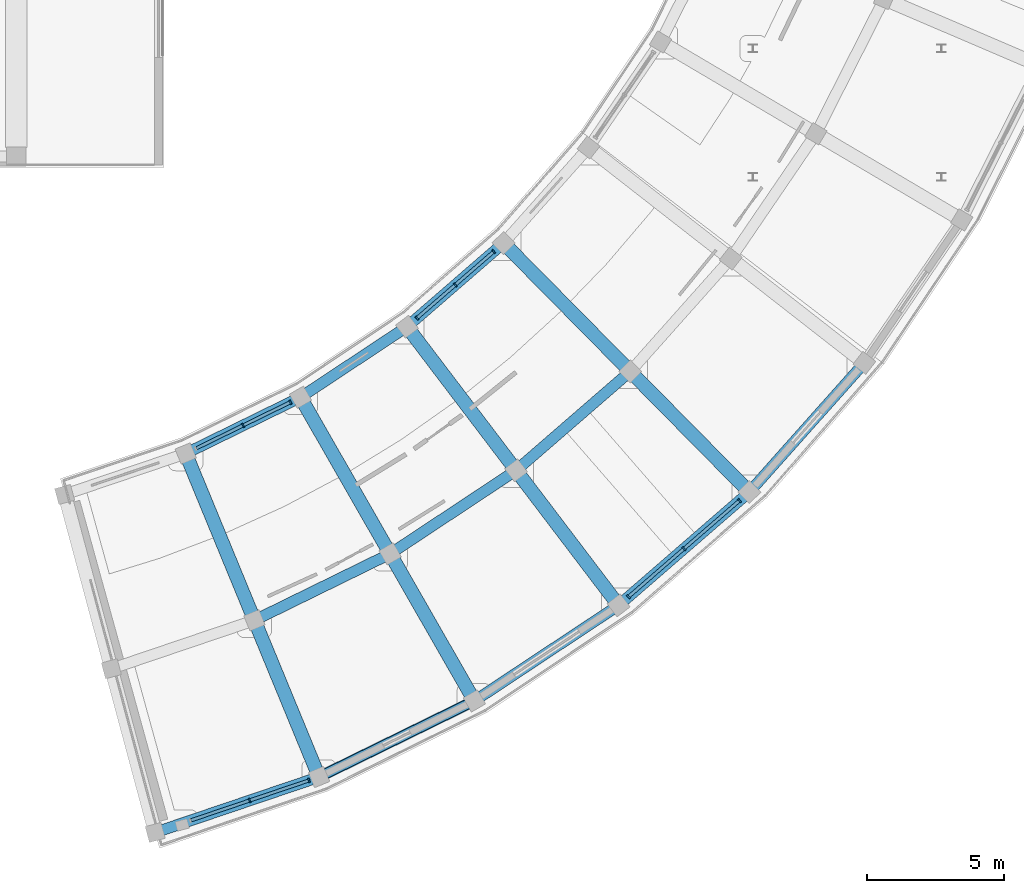
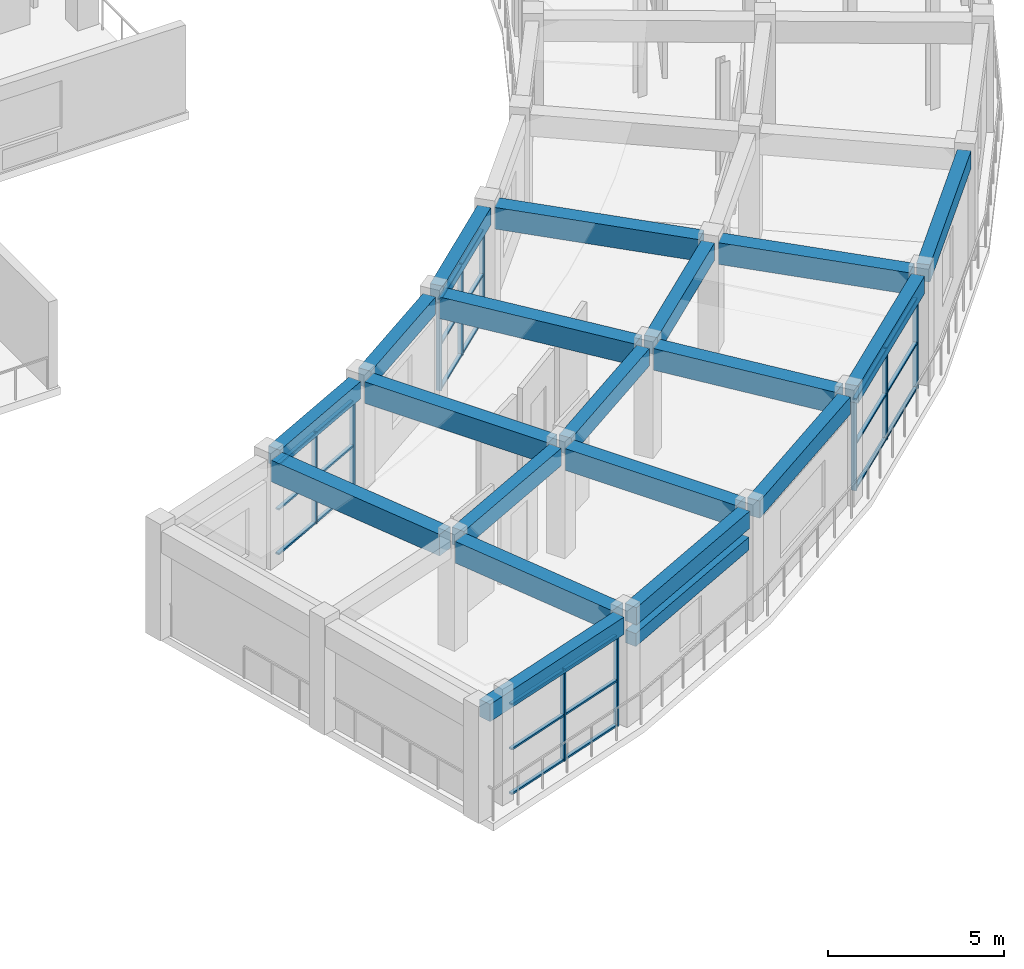
# One storey, part 23 of 70: 34 members, 20 beams, 4 elements without a shape of their own.
"""IFC4 building model written with IfcOpenShell, lengths in metres."""

from ifc_helpers import new_model, si_unit, direction, frame, origin, origin_2d, place, context, subcontext, project, spatial, rectangle, extrude, material, material_profile, profile_set, type_object, element, aggregate, save


model = new_model("IFC4")

# Units and contexts
model_context = context("Model", 3, precision=1e-05, world=origin(), true_north=direction((0.0, 1.0)))
body_context = subcontext(model_context, "Body", "Model", "MODEL_VIEW")
ifc_project = project(units=[si_unit("LENGTHUNIT", "METRE"), si_unit("AREAUNIT", "SQUARE_METRE"), si_unit("VOLUMEUNIT", "CUBIC_METRE"), si_unit("PLANEANGLEUNIT", "RADIAN"), si_unit("MASSUNIT", "GRAM", prefix="KILO")], contexts=[model_context])

# Site, building, storey
site_placement = place(None, origin())
site = spatial("IfcSite", under=ifc_project, at=site_placement, CompositionType="ELEMENT")
building_placement = place(site_placement, origin())
building = spatial("IfcBuilding", under=site, at=building_placement, Name="Saryqyr Civic Hall", CompositionType="ELEMENT")
storey_placement = place(building_placement, frame((0.0, 0.0, 13.199951171875)))
storey = spatial("IfcBuildingStorey", under=building, at=storey_placement, Name="L03", CompositionType="ELEMENT", Elevation=13.199951171875)

# Curtain wall, members
ifc_material_1 = material(Name="Anodised aluminium and triple low-E glass", Category="aluminium")
curtain_wall_type_1 = type_object("IfcCurtainWallType", Name="ENV-CW-STD-30", PredefinedType="NOTDEFINED", material=ifc_material_1)
curtain_wall_1_placement = place(storey_placement, origin())
curtain_wall_1 = element("IfcCurtainWall", 1, at=curtain_wall_1_placement, inside=storey, type_object=curtain_wall_type_1, Name="Curtain wall V5-CWO-L03-00", PredefinedType="NOTDEFINED")
ifc_material_2 = material(Name="Anodised aluminium", Category="aluminium")
ifc_material_profile_1 = material_profile(ifc_material_2, rectangle(XDim=0.06005859375, YDim=0.159912109375, at=origin_2d()), Name="ALU MULLION 60x160")
ifc_profile_set_1 = profile_set([ifc_material_profile_1], Name="Anodised aluminium")
member_type_1 = type_object("IfcMemberType", Name="ENV-CW-MUL-180", PredefinedType="MULLION", material=ifc_profile_set_1)
member_1_placement = place(storey_placement, frame((75.30810546875, 38.57421875, 0.0), z_axis=(0.0, 0.0, 1.0), x_axis=(-0.947196460204, -0.320653809858, 0.0)))
member_1 = element("IfcMember", 2, at=member_1_placement, type_object=member_type_1, Name="CW-30 mullion 1", PredefinedType="MULLION", context=body_context, shape_type="SweptSolid", body=[
    extrude(rectangle(XDim=0.06005859375, YDim=0.159912109375, at=origin_2d()), origin(), (0.0, 0.0, 1.0), 3.1650390625),
])
member_2_placement = place(storey_placement, frame((73.135986328125, 37.8388671875, 0.0), z_axis=(0.0, 0.0, 1.0), x_axis=(-0.947196460204, -0.320653809858, 0.0)))
member_2 = element("IfcMember", 3, at=member_2_placement, type_object=member_type_1, Name="CW-30 mullion 2", PredefinedType="MULLION", context=body_context, shape_type="SweptSolid", body=[
    extrude(rectangle(XDim=0.06005859375, YDim=0.159912109375, at=origin_2d()), origin(), (0.0, 0.0, 1.0), 3.1650390625),
])

curtain_wall_type_2 = type_object("IfcCurtainWallType", Name="ENV-CW-STD-25", PredefinedType="NOTDEFINED", material=ifc_material_1)
curtain_wall_2_placement = place(storey_placement, origin())
curtain_wall_2 = element("IfcCurtainWall", 4, at=curtain_wall_2_placement, inside=storey, type_object=curtain_wall_type_2, Name="Curtain wall V5-CWI-L03-01", PredefinedType="NOTDEFINED")
member_3_placement = place(storey_placement, frame((72.896728515625, 51.561279296875, 0.0), z_axis=(0.0, 0.0, 1.0), x_axis=(0.897961859945, 0.440073287175, 0.0)))
member_3 = element("IfcMember", 5, at=member_3_placement, type_object=member_type_1, Name="CW-25 mullion 2", PredefinedType="MULLION", context=body_context, shape_type="SweptSolid", body=[
    extrude(rectangle(XDim=0.06005859375, YDim=0.159912109375, at=origin_2d()), origin(), (0.0, 0.0, 1.0), 3.1650390625),
])
member_4_placement = place(storey_placement, frame((74.62890625, 52.41015625, 0.0), z_axis=(0.0, 0.0, 1.0), x_axis=(0.897961859945, 0.440073287175, 0.0)))
member_4 = element("IfcMember", 6, at=member_4_placement, type_object=member_type_1, Name="CW-25 mullion 3", PredefinedType="MULLION", context=body_context, shape_type="SweptSolid", body=[
    extrude(rectangle(XDim=0.06005859375, YDim=0.159912109375, at=origin_2d()), origin(), (0.0, 0.0, 1.0), 3.1650390625),
])

curtain_wall_type_3 = type_object("IfcCurtainWallType", Name="ENV-CW-STD-39", PredefinedType="NOTDEFINED", material=ifc_material_1)
curtain_wall_3_placement = place(storey_placement, origin())
curtain_wall_3 = element("IfcCurtainWall", 7, at=curtain_wall_3_placement, inside=storey, type_object=curtain_wall_type_3, Name="Curtain wall V5-CWO-L03-03", PredefinedType="NOTDEFINED")
member_5_placement = place(storey_placement, frame((91.054931640625, 48.808349609375, 0.0), z_axis=(0.0, 0.0, 1.0), x_axis=(-0.755657475938, -0.654967006085, 0.0)))
member_5 = element("IfcMember", 8, at=member_5_placement, type_object=member_type_1, Name="CW-39 mullion 1", PredefinedType="MULLION", context=body_context, shape_type="SweptSolid", body=[
    extrude(rectangle(XDim=0.06005859375, YDim=0.159912109375, at=origin_2d()), origin(), (0.0, 0.0, 1.0), 3.1650390625),
])
member_6_placement = place(storey_placement, frame((89.026611328125, 47.05029296875, 0.0), z_axis=(0.0, 0.0, 1.0), x_axis=(-0.755657475938, -0.654967006085, 0.0)))
member_6 = element("IfcMember", 9, at=member_6_placement, type_object=member_type_1, Name="CW-39 mullion 2", PredefinedType="MULLION", context=body_context, shape_type="SweptSolid", body=[
    extrude(rectangle(XDim=0.06005859375, YDim=0.159912109375, at=origin_2d()), origin(), (0.0, 0.0, 1.0), 3.1650390625),
])
member_7_placement = place(storey_placement, frame((86.998291015625, 45.292236328125, 0.0), z_axis=(0.0, 0.0, 1.0), x_axis=(-0.755657475938, -0.654967006085, 0.0)))
member_7 = element("IfcMember", 10, at=member_7_placement, type_object=member_type_1, Name="CW-39 mullion 3", PredefinedType="MULLION", context=body_context, shape_type="SweptSolid", body=[
    extrude(rectangle(XDim=0.06005859375, YDim=0.159912109375, at=origin_2d()), origin(), (0.0, 0.0, 1.0), 3.1650390625),
])

curtain_wall_type_4 = type_object("IfcCurtainWallType", Name="ENV-CW-STD-27", PredefinedType="NOTDEFINED", material=ifc_material_1)
curtain_wall_4_placement = place(storey_placement, origin())
curtain_wall_4 = element("IfcCurtainWall", 11, at=curtain_wall_4_placement, inside=storey, type_object=curtain_wall_type_4, Name="Curtain wall V5-CWI-L03-03", PredefinedType="NOTDEFINED")
member_8_placement = place(storey_placement, frame((79.256591796875, 55.485595703125, 0.0), z_axis=(0.0, 0.0, 1.0), x_axis=(0.755651502076, 0.654973898267, 0.0)))
member_8 = element("IfcMember", 12, at=member_8_placement, type_object=member_type_1, Name="CW-27 mullion 1", PredefinedType="MULLION", context=body_context, shape_type="SweptSolid", body=[
    extrude(rectangle(XDim=0.06005859375, YDim=0.159912109375, at=origin_2d()), origin(), (0.0, 0.0, 1.0), 3.1650390625),
])
member_9_placement = place(storey_placement, frame((80.660400390625, 56.702392578125, 0.0), z_axis=(0.0, 0.0, 1.0), x_axis=(0.755651502076, 0.654973898267, 0.0)))
member_9 = element("IfcMember", 13, at=member_9_placement, type_object=member_type_1, Name="CW-27 mullion 2", PredefinedType="MULLION", context=body_context, shape_type="SweptSolid", body=[
    extrude(rectangle(XDim=0.06005859375, YDim=0.159912109375, at=origin_2d()), origin(), (0.0, 0.0, 1.0), 3.1650390625),
])
member_10_placement = place(storey_placement, frame((82.064208984375, 57.919189453125, 0.0), z_axis=(0.0, 0.0, 1.0), x_axis=(0.755651502076, 0.654973898267, 0.0)))
member_10 = element("IfcMember", 14, at=member_10_placement, type_object=member_type_1, Name="CW-27 mullion 3", PredefinedType="MULLION", context=body_context, shape_type="SweptSolid", body=[
    extrude(rectangle(XDim=0.06005859375, YDim=0.159912109375, at=origin_2d()), origin(), (0.0, 0.0, 1.0), 3.1650390625),
])

# Member
ifc_material_profile_2 = material_profile(ifc_material_2, rectangle(XDim=0.1201171875, YDim=0.06005859375, at=origin_2d()), Name="ALU TRANSOM 120x60")
ifc_profile_set_2 = profile_set([ifc_material_profile_2], Name="Anodised aluminium")
member_type_2 = type_object("IfcMemberType", Name="ENV-CW-TRN-150", PredefinedType="USERDEFINED", material=ifc_profile_set_2)
member_11_placement = place(storey_placement, frame((75.279541015625, 38.564453125, 0.030029296875), z_axis=(-0.947230270379, -0.320553918831, 0.0), x_axis=(0.320553918831, -0.947230270379, 0.0)))
member_11 = element("IfcMember", 15, at=member_11_placement, type_object=member_type_2, Name="CW-30 transom 1.1", ObjectType="TRANSOM", PredefinedType="USERDEFINED", context=body_context, shape_type="SweptSolid", body=[
    extrude(rectangle(XDim=0.1201171875, YDim=0.06005859375, at=origin_2d()), origin(), (0.0, 0.0, 1.0), 2.233154296875),
])

member_12_placement = place(storey_placement, frame((75.279541015625, 38.564453125, 1.58203125), z_axis=(-0.947230270379, -0.320553918831, 0.0), x_axis=(0.320553918831, -0.947230270379, 0.0)))
member_12 = element("IfcMember", 16, at=member_12_placement, type_object=member_type_2, Name="CW-30 transom 1.2", ObjectType="TRANSOM", PredefinedType="USERDEFINED", context=body_context, shape_type="SweptSolid", body=[
    extrude(rectangle(XDim=0.1201171875, YDim=0.06005859375, at=origin_2d()), origin(), (0.0, 0.0, 1.0), 2.233154296875),
])

member_13_placement = place(storey_placement, frame((75.279541015625, 38.564453125, 3.135009765625), z_axis=(-0.947230270379, -0.320553918831, 0.0), x_axis=(0.320553918831, -0.947230270379, 0.0)))
member_13 = element("IfcMember", 17, at=member_13_placement, type_object=member_type_2, Name="CW-30 transom 1.3", ObjectType="TRANSOM", PredefinedType="USERDEFINED", context=body_context, shape_type="SweptSolid", body=[
    extrude(rectangle(XDim=0.1201171875, YDim=0.06005859375, at=origin_2d()), origin(), (0.0, 0.0, 1.0), 2.233154296875),
])

member_14_placement = place(storey_placement, frame((73.107666015625, 37.829345703125, 0.030029296875), z_axis=(-0.94719706985, -0.320652008988, 0.0), x_axis=(0.320652008988, -0.94719706985, 0.0)))
member_14 = element("IfcMember", 18, at=member_14_placement, type_object=member_type_2, Name="CW-30 transom 2.1", ObjectType="TRANSOM", PredefinedType="USERDEFINED", context=body_context, shape_type="SweptSolid", body=[
    extrude(rectangle(XDim=0.1201171875, YDim=0.06005859375, at=origin_2d()), origin(), (0.0, 0.0, 1.0), 2.233154296875),
])

member_15_placement = place(storey_placement, frame((73.107666015625, 37.829345703125, 1.58203125), z_axis=(-0.94719706985, -0.320652008988, 0.0), x_axis=(0.320652008988, -0.94719706985, 0.0)))
member_15 = element("IfcMember", 19, at=member_15_placement, type_object=member_type_2, Name="CW-30 transom 2.2", ObjectType="TRANSOM", PredefinedType="USERDEFINED", context=body_context, shape_type="SweptSolid", body=[
    extrude(rectangle(XDim=0.1201171875, YDim=0.06005859375, at=origin_2d()), origin(), (0.0, 0.0, 1.0), 2.233154296875),
])

member_16_placement = place(storey_placement, frame((73.107666015625, 37.829345703125, 3.135009765625), z_axis=(-0.94719706985, -0.320652008988, 0.0), x_axis=(0.320652008988, -0.94719706985, 0.0)))
member_16 = element("IfcMember", 20, at=member_16_placement, type_object=member_type_2, Name="CW-30 transom 2.3", ObjectType="TRANSOM", PredefinedType="USERDEFINED", context=body_context, shape_type="SweptSolid", body=[
    extrude(rectangle(XDim=0.1201171875, YDim=0.06005859375, at=origin_2d()), origin(), (0.0, 0.0, 1.0), 2.233154296875),
])

aggregate(curtain_wall_1, [member_1, member_2, member_11, member_12, member_13, member_14, member_15, member_16])

member_17_placement = place(storey_placement, frame((71.191650390625, 50.7255859375, 0.030029296875), z_axis=(0.897952102471, 0.44009319657, 0.0), x_axis=(-0.44009319657, 0.897952102471, 0.0)))
member_17 = element("IfcMember", 21, at=member_17_placement, type_object=member_type_2, Name="CW-25 transom 1.1", ObjectType="TRANSOM", PredefinedType="USERDEFINED", context=body_context, shape_type="SweptSolid", body=[
    extrude(rectangle(XDim=0.1201171875, YDim=0.06005859375, at=origin_2d()), origin(), (0.0, 0.0, 1.0), 1.868896484375),
])

member_18_placement = place(storey_placement, frame((71.191650390625, 50.7255859375, 1.58203125), z_axis=(0.897952102471, 0.44009319657, 0.0), x_axis=(-0.44009319657, 0.897952102471, 0.0)))
member_18 = element("IfcMember", 22, at=member_18_placement, type_object=member_type_2, Name="CW-25 transom 1.2", ObjectType="TRANSOM", PredefinedType="USERDEFINED", context=body_context, shape_type="SweptSolid", body=[
    extrude(rectangle(XDim=0.1201171875, YDim=0.06005859375, at=origin_2d()), origin(), (0.0, 0.0, 1.0), 1.868896484375),
])

member_19_placement = place(storey_placement, frame((71.191650390625, 50.7255859375, 3.135009765625), z_axis=(0.897952102471, 0.44009319657, 0.0), x_axis=(-0.44009319657, 0.897952102471, 0.0)))
member_19 = element("IfcMember", 23, at=member_19_placement, type_object=member_type_2, Name="CW-25 transom 1.3", ObjectType="TRANSOM", PredefinedType="USERDEFINED", context=body_context, shape_type="SweptSolid", body=[
    extrude(rectangle(XDim=0.1201171875, YDim=0.06005859375, at=origin_2d()), origin(), (0.0, 0.0, 1.0), 1.868896484375),
])

member_20_placement = place(storey_placement, frame((72.923828125, 51.574462890625, 0.030029296875), z_axis=(0.897952102471, 0.44009319657, 0.0), x_axis=(-0.44009319657, 0.897952102471, 0.0)))
member_20 = element("IfcMember", 24, at=member_20_placement, type_object=member_type_2, Name="CW-25 transom 2.1", ObjectType="TRANSOM", PredefinedType="USERDEFINED", context=body_context, shape_type="SweptSolid", body=[
    extrude(rectangle(XDim=0.1201171875, YDim=0.06005859375, at=origin_2d()), origin(), (0.0, 0.0, 1.0), 1.868896484375),
])

member_21_placement = place(storey_placement, frame((72.923828125, 51.574462890625, 1.58203125), z_axis=(0.897952102471, 0.44009319657, 0.0), x_axis=(-0.44009319657, 0.897952102471, 0.0)))
member_21 = element("IfcMember", 25, at=member_21_placement, type_object=member_type_2, Name="CW-25 transom 2.2", ObjectType="TRANSOM", PredefinedType="USERDEFINED", context=body_context, shape_type="SweptSolid", body=[
    extrude(rectangle(XDim=0.1201171875, YDim=0.06005859375, at=origin_2d()), origin(), (0.0, 0.0, 1.0), 1.868896484375),
])

member_22_placement = place(storey_placement, frame((72.923828125, 51.574462890625, 3.135009765625), z_axis=(0.897952102471, 0.44009319657, 0.0), x_axis=(-0.44009319657, 0.897952102471, 0.0)))
member_22 = element("IfcMember", 26, at=member_22_placement, type_object=member_type_2, Name="CW-25 transom 2.3", ObjectType="TRANSOM", PredefinedType="USERDEFINED", context=body_context, shape_type="SweptSolid", body=[
    extrude(rectangle(XDim=0.1201171875, YDim=0.06005859375, at=origin_2d()), origin(), (0.0, 0.0, 1.0), 1.868896484375),
])

aggregate(curtain_wall_2, [member_3, member_4, member_17, member_18, member_19, member_20, member_21, member_22])

member_23_placement = place(storey_placement, frame((91.032470703125, 48.788818359375, 0.030029296875), z_axis=(-0.755639971157, -0.654987201393, 0.0), x_axis=(0.654987201393, -0.755639971157, 0.0)))
member_23 = element("IfcMember", 27, at=member_23_placement, type_object=member_type_2, Name="CW-39 transom 1.1", ObjectType="TRANSOM", PredefinedType="USERDEFINED", context=body_context, shape_type="SweptSolid", body=[
    extrude(rectangle(XDim=0.1201171875, YDim=0.06005859375, at=origin_2d()), origin(), (0.0, 0.0, 1.0), 2.62451171875),
])

member_24_placement = place(storey_placement, frame((91.032470703125, 48.788818359375, 1.58203125), z_axis=(-0.755639971157, -0.654987201393, 0.0), x_axis=(0.654987201393, -0.755639971157, 0.0)))
member_24 = element("IfcMember", 28, at=member_24_placement, type_object=member_type_2, Name="CW-39 transom 1.2", ObjectType="TRANSOM", PredefinedType="USERDEFINED", context=body_context, shape_type="SweptSolid", body=[
    extrude(rectangle(XDim=0.1201171875, YDim=0.06005859375, at=origin_2d()), origin(), (0.0, 0.0, 1.0), 2.62451171875),
])

member_25_placement = place(storey_placement, frame((91.032470703125, 48.788818359375, 3.135009765625), z_axis=(-0.755639971157, -0.654987201393, 0.0), x_axis=(0.654987201393, -0.755639971157, 0.0)))
member_25 = element("IfcMember", 29, at=member_25_placement, type_object=member_type_2, Name="CW-39 transom 1.3", ObjectType="TRANSOM", PredefinedType="USERDEFINED", context=body_context, shape_type="SweptSolid", body=[
    extrude(rectangle(XDim=0.1201171875, YDim=0.06005859375, at=origin_2d()), origin(), (0.0, 0.0, 1.0), 2.62451171875),
])

member_26_placement = place(storey_placement, frame((89.00390625, 47.030517578125, 0.030029296875), z_axis=(-0.755646104704, -0.65498012523, 0.0), x_axis=(0.65498012523, -0.755646104704, 0.0)))
member_26 = element("IfcMember", 30, at=member_26_placement, type_object=member_type_2, Name="CW-39 transom 2.1", ObjectType="TRANSOM", PredefinedType="USERDEFINED", context=body_context, shape_type="SweptSolid", body=[
    extrude(rectangle(XDim=0.1201171875, YDim=0.06005859375, at=origin_2d()), origin(), (0.0, 0.0, 1.0), 2.6240234375),
])

member_27_placement = place(storey_placement, frame((89.00390625, 47.030517578125, 1.58203125), z_axis=(-0.755646104704, -0.65498012523, 0.0), x_axis=(0.65498012523, -0.755646104704, 0.0)))
member_27 = element("IfcMember", 31, at=member_27_placement, type_object=member_type_2, Name="CW-39 transom 2.2", ObjectType="TRANSOM", PredefinedType="USERDEFINED", context=body_context, shape_type="SweptSolid", body=[
    extrude(rectangle(XDim=0.1201171875, YDim=0.06005859375, at=origin_2d()), origin(), (0.0, 0.0, 1.0), 2.6240234375),
])

member_28_placement = place(storey_placement, frame((89.00390625, 47.030517578125, 3.135009765625), z_axis=(-0.755646104704, -0.65498012523, 0.0), x_axis=(0.65498012523, -0.755646104704, 0.0)))
member_28 = element("IfcMember", 32, at=member_28_placement, type_object=member_type_2, Name="CW-39 transom 2.3", ObjectType="TRANSOM", PredefinedType="USERDEFINED", context=body_context, shape_type="SweptSolid", body=[
    extrude(rectangle(XDim=0.1201171875, YDim=0.06005859375, at=origin_2d()), origin(), (0.0, 0.0, 1.0), 2.6240234375),
])

aggregate(curtain_wall_3, [member_5, member_6, member_7, member_23, member_24, member_25, member_26, member_27, member_28])

member_29_placement = place(storey_placement, frame((79.279296875, 55.50537109375, 0.030029296875), z_axis=(0.755630827507, 0.654997750012, 0.0), x_axis=(-0.654997750012, 0.755630827507, 0.0)))
member_29 = element("IfcMember", 33, at=member_29_placement, type_object=member_type_2, Name="CW-27 transom 1.1", ObjectType="TRANSOM", PredefinedType="USERDEFINED", context=body_context, shape_type="SweptSolid", body=[
    extrude(rectangle(XDim=0.1201171875, YDim=0.06005859375, at=origin_2d()), origin(), (0.0, 0.0, 1.0), 1.797607421875),
])

member_30_placement = place(storey_placement, frame((79.279296875, 55.50537109375, 1.58203125), z_axis=(0.755630827507, 0.654997750012, 0.0), x_axis=(-0.654997750012, 0.755630827507, 0.0)))
member_30 = element("IfcMember", 34, at=member_30_placement, type_object=member_type_2, Name="CW-27 transom 1.2", ObjectType="TRANSOM", PredefinedType="USERDEFINED", context=body_context, shape_type="SweptSolid", body=[
    extrude(rectangle(XDim=0.1201171875, YDim=0.06005859375, at=origin_2d()), origin(), (0.0, 0.0, 1.0), 1.797607421875),
])

member_31_placement = place(storey_placement, frame((79.279296875, 55.50537109375, 3.135009765625), z_axis=(0.755630827507, 0.654997750012, 0.0), x_axis=(-0.654997750012, 0.755630827507, 0.0)))
member_31 = element("IfcMember", 35, at=member_31_placement, type_object=member_type_2, Name="CW-27 transom 1.3", ObjectType="TRANSOM", PredefinedType="USERDEFINED", context=body_context, shape_type="SweptSolid", body=[
    extrude(rectangle(XDim=0.1201171875, YDim=0.06005859375, at=origin_2d()), origin(), (0.0, 0.0, 1.0), 1.797607421875),
])

member_32_placement = place(storey_placement, frame((80.68310546875, 56.72216796875, 0.030029296875), z_axis=(0.755698045408, 0.654920196793, 0.0), x_axis=(-0.654920196793, 0.755698045408, 0.0)))
member_32 = element("IfcMember", 36, at=member_32_placement, type_object=member_type_2, Name="CW-27 transom 2.1", ObjectType="TRANSOM", PredefinedType="USERDEFINED", context=body_context, shape_type="SweptSolid", body=[
    extrude(rectangle(XDim=0.1201171875, YDim=0.06005859375, at=origin_2d()), origin(), (0.0, 0.0, 1.0), 1.797607421875),
])

member_33_placement = place(storey_placement, frame((80.68310546875, 56.72216796875, 1.58203125), z_axis=(0.755698045408, 0.654920196793, 0.0), x_axis=(-0.654920196793, 0.755698045408, 0.0)))
member_33 = element("IfcMember", 37, at=member_33_placement, type_object=member_type_2, Name="CW-27 transom 2.2", ObjectType="TRANSOM", PredefinedType="USERDEFINED", context=body_context, shape_type="SweptSolid", body=[
    extrude(rectangle(XDim=0.1201171875, YDim=0.06005859375, at=origin_2d()), origin(), (0.0, 0.0, 1.0), 1.797607421875),
])

member_34_placement = place(storey_placement, frame((80.68310546875, 56.72216796875, 3.135009765625), z_axis=(0.755698045408, 0.654920196793, 0.0), x_axis=(-0.654920196793, 0.755698045408, 0.0)))
member_34 = element("IfcMember", 38, at=member_34_placement, type_object=member_type_2, Name="CW-27 transom 2.3", ObjectType="TRANSOM", PredefinedType="USERDEFINED", context=body_context, shape_type="SweptSolid", body=[
    extrude(rectangle(XDim=0.1201171875, YDim=0.06005859375, at=origin_2d()), origin(), (0.0, 0.0, 1.0), 1.797607421875),
])

aggregate(curtain_wall_4, [member_8, member_9, member_10, member_29, member_30, member_31, member_32, member_33, member_34])

# Beams
ifc_material_3 = material(Name="Concrete C35/45", Category="concrete")
ifc_material_profile_3 = material_profile(ifc_material_3, rectangle(XDim=0.39990234375, YDim=0.60009765625, at=origin_2d()), Name="RC 400x600")
ifc_profile_set_3 = profile_set([ifc_material_profile_3], Name="Concrete C35/45")
beam_type_1 = type_object("IfcBeamType", Name="STR-BM-RC400x600", PredefinedType="BEAM", material=ifc_profile_set_3)
for number, where, z_axis, x_axis, name in (
    (39, (73.560302734375, 44.552001953125, 3.489990234375), (0.897969369862, 0.440057962989, 0.0), (-0.440057962989, 0.897969369862, 0.0), "Beam V5-CBM-MID01-L03"),
    (40, (78.50634765625, 47.01513671875, 3.489990234375), (0.833759218515, 0.552128214767, 0.0), (-0.552128214767, 0.833759218515, 0.0), "Beam V5-CBM-MID02-L03"),
):
    element("IfcBeam", number, at=place(storey_placement, frame(where, z_axis=z_axis, x_axis=x_axis)), inside=storey, type_object=beam_type_1, Name=name, PredefinedType="BEAM", context=body_context, shape_type="SweptSolid", body=[
        extrude(rectangle(XDim=0.39990234375, YDim=0.60009765625, at=origin_2d()), origin(), (0.0, 0.0, 1.0), 4.9775390625),
    ])
beam_1_placement = place(storey_placement, frame((83.093505859375, 50.095458984375, 3.489990234375), z_axis=(0.755658334576, 0.654966015443, 0.0), x_axis=(-0.654966015443, 0.755658334576, 0.0)))
element("IfcBeam", 41, at=beam_1_placement, inside=storey, type_object=beam_type_1, Name="Beam V5-CBM-MID03-L03", PredefinedType="BEAM", context=body_context, shape_type="SweptSolid", body=[
    extrude(rectangle(XDim=0.39990234375, YDim=0.60009765625, at=origin_2d()), origin(), (0.0, 0.0, 1.0), 4.977783203125),
])
ifc_material_profile_4 = material_profile(ifc_material_3, rectangle(XDim=0.39990234375, YDim=0.60009765625, at=origin_2d()), Name="RC 400x600")
ifc_profile_set_4 = profile_set([ifc_material_profile_4], Name="Concrete C35/45")
beam_type_2 = type_object("IfcBeamType", Name="STR-BM-RC400x600-EXT", PredefinedType="BEAM", material=ifc_profile_set_4)
beam_2_placement = place(storey_placement, frame((69.942626953125, 36.7578125, 3.489990234375), z_axis=(0.947202743772, 0.320635247892, 0.0), x_axis=(-0.320635247892, 0.947202743772, 0.0)))
element("IfcBeam", 42, at=beam_2_placement, inside=storey, type_object=beam_type_2, Name="Beam V5-CBM-OUT00-L03", PredefinedType="BEAM", context=body_context, shape_type="SweptSolid", body=[
    extrude(rectangle(XDim=0.39990234375, YDim=0.60009765625, at=origin_2d()), origin(), (0.0, 0.0, 1.0), 5.778564453125),
])
beam_3_placement = place(storey_placement, frame((71.044677734375, 50.653564453125, 3.489990234375), z_axis=(0.897961536886, 0.440073946371, 0.0), x_axis=(-0.440073946371, 0.897961536886, 0.0)))
element("IfcBeam", 43, at=beam_3_placement, inside=storey, type_object=beam_type_2, Name="Beam V5-CBM-IN01-L03", PredefinedType="BEAM", context=body_context, shape_type="SweptSolid", body=[
    extrude(rectangle(XDim=0.39990234375, YDim=0.60009765625, at=origin_2d()), origin(), (0.0, 0.0, 1.0), 4.125244140625),
])
beam_4_placement = place(storey_placement, frame((75.92333984375, 38.81982421875, 3.489990234375), z_axis=(0.897964591433, 0.440067713577, 0.0), x_axis=(-0.440067713577, 0.897964591433, 0.0)))
element("IfcBeam", 44, at=beam_4_placement, inside=storey, type_object=beam_type_2, Name="Beam V5-CBM-OUT01-L03", PredefinedType="BEAM", context=body_context, shape_type="SweptSolid", body=[
    extrude(rectangle(XDim=0.39990234375, YDim=0.60009765625, at=origin_2d()), origin(), (0.0, 0.0, 1.0), 5.778564453125),
])
beam_5_placement = place(storey_placement, frame((75.22509765625, 52.74169921875, 3.489990234375), z_axis=(0.833757941264, 0.552130143516, 0.0), x_axis=(-0.552130143516, 0.833757941264, 0.0)))
element("IfcBeam", 45, at=beam_5_placement, inside=storey, type_object=beam_type_2, Name="Beam V5-CBM-IN02-L03", PredefinedType="BEAM", context=body_context, shape_type="SweptSolid", body=[
    extrude(rectangle(XDim=0.39990234375, YDim=0.60009765625, at=origin_2d()), origin(), (0.0, 0.0, 1.0), 4.12548828125),
])
beam_6_placement = place(storey_placement, frame((81.58837890625, 41.635498046875, 3.489990234375), z_axis=(0.833762314581, 0.552123539422, 0.0), x_axis=(-0.552123539422, 0.833762314581, 0.0)))
element("IfcBeam", 46, at=beam_6_placement, inside=storey, type_object=beam_type_2, Name="Beam V5-CBM-OUT02-L03", PredefinedType="BEAM", context=body_context, shape_type="SweptSolid", body=[
    extrude(rectangle(XDim=0.39990234375, YDim=0.60009765625, at=origin_2d()), origin(), (0.0, 0.0, 1.0), 5.778564453125),
])
beam_7_placement = place(storey_placement, frame((79.101806640625, 55.351318359375, 3.489990234375), z_axis=(0.755618782617, 0.655011645207, 0.0), x_axis=(-0.655011645207, 0.755618782617, 0.0)))
element("IfcBeam", 47, at=beam_7_placement, inside=storey, type_object=beam_type_2, Name="Beam V5-CBM-IN03-L03", PredefinedType="BEAM", context=body_context, shape_type="SweptSolid", body=[
    extrude(rectangle(XDim=0.39990234375, YDim=0.60009765625, at=origin_2d()), origin(), (0.0, 0.0, 1.0), 4.125244140625),
])
for number, where, z_axis, x_axis, name in (
    (48, (86.843505859375, 45.157958984375, 3.489990234375), (0.755654230233, 0.654970750745, 0.0), (-0.654970750745, 0.755654230233, 0.0), "Beam V5-CBM-OUT03-L03"),
    (49, (91.6005859375, 49.328125, 3.489990234375), (0.664935334845, 0.74690093083, 0.0), (-0.74690093083, 0.664935334845, 0.0), "Beam V5-CBM-OUT04-L03"),
):
    element("IfcBeam", number, at=place(storey_placement, frame(where, z_axis=z_axis, x_axis=x_axis)), inside=storey, type_object=beam_type_2, Name=name, PredefinedType="BEAM", context=body_context, shape_type="SweptSolid", body=[
        extrude(rectangle(XDim=0.39990234375, YDim=0.60009765625, at=origin_2d()), origin(), (0.0, 0.0, 1.0), 5.7783203125),
    ])
ifc_material_4 = material(Name="Concrete C40/50", Category="concrete")
ifc_material_profile_5 = material_profile(ifc_material_4, rectangle(XDim=0.5, YDim=0.75, at=origin_2d()), Name="RC 500x750")
ifc_profile_set_5 = profile_set([ifc_material_profile_5], Name="Concrete C40/50")
beam_type_3 = type_object("IfcBeamType", Name="STR-BM-RC500x750", PredefinedType="BEAM", material=ifc_profile_set_5)
beam_8_placement = place(storey_placement, frame((70.902587890625, 50.2783203125, 3.4150390625), z_axis=(0.381145552092, -0.924515044832, 0.0), x_axis=(0.924515044832, 0.381145552092, 0.0)))
element("IfcBeam", 50, at=beam_8_placement, inside=storey, type_object=beam_type_3, Name="Beam V5-RBM-A01-L03", PredefinedType="BEAM", context=body_context, shape_type="SweptSolid", body=[
    extrude(rectangle(XDim=0.5, YDim=0.75, at=origin_2d()), origin(), (0.0, 0.0, 1.0), 6.050048828125),
])
beam_9_placement = place(storey_placement, frame((73.418212890625, 44.1767578125, 3.4150390625), z_axis=(0.381114889866, -0.924527685212, 0.0), x_axis=(0.924527685212, 0.381114889866, 0.0)))
element("IfcBeam", 51, at=beam_9_placement, inside=storey, type_object=beam_type_3, Name="Beam V5-RBM-B01-L03", PredefinedType="BEAM", context=body_context, shape_type="SweptSolid", body=[
    extrude(rectangle(XDim=0.5, YDim=0.75, at=origin_2d()), origin(), (0.0, 0.0, 1.0), 5.650146484375),
])
beam_10_placement = place(storey_placement, frame((75.132568359375, 52.351318359375, 3.4150390625), z_axis=(0.497164210685, -0.867656468664, 0.0), x_axis=(0.867656468664, 0.497164210685, 0.0)))
element("IfcBeam", 52, at=beam_10_placement, inside=storey, type_object=beam_type_3, Name="Beam V5-RBM-A02-L03", PredefinedType="BEAM", context=body_context, shape_type="SweptSolid", body=[
    extrude(rectangle(XDim=0.5, YDim=0.75, at=origin_2d()), origin(), (0.0, 0.0, 1.0), 6.050048828125),
])
beam_11_placement = place(storey_placement, frame((78.413818359375, 46.624755859375, 3.4150390625), z_axis=(0.497106570518, -0.867689493741, 0.0), x_axis=(0.867689493741, 0.497106570518, 0.0)))
element("IfcBeam", 53, at=beam_11_placement, inside=storey, type_object=beam_type_3, Name="Beam V5-RBM-B02-L03", PredefinedType="BEAM", context=body_context, shape_type="SweptSolid", body=[
    extrude(rectangle(XDim=0.5, YDim=0.75, at=origin_2d()), origin(), (0.0, 0.0, 1.0), 5.64990234375),
])
beam_12_placement = place(storey_placement, frame((79.060302734375, 54.952392578125, 3.4150390625), z_axis=(0.60481209734, -0.796368210636, 0.0), x_axis=(0.796368210636, 0.60481209734, 0.0)))
element("IfcBeam", 54, at=beam_12_placement, inside=storey, type_object=beam_type_3, Name="Beam V5-RBM-A03-L03", PredefinedType="BEAM", context=body_context, shape_type="SweptSolid", body=[
    extrude(rectangle(XDim=0.5, YDim=0.75, at=origin_2d()), origin(), (0.0, 0.0, 1.0), 6.050048828125),
])
beam_13_placement = place(storey_placement, frame((83.052001953125, 49.6962890625, 3.4150390625), z_axis=(0.604814812056, -0.796366148903, 0.0), x_axis=(0.796366148903, 0.604814812056, 0.0)))
element("IfcBeam", 55, at=beam_13_placement, inside=storey, type_object=beam_type_3, Name="Beam V5-RBM-B03-L03", PredefinedType="BEAM", context=body_context, shape_type="SweptSolid", body=[
    extrude(rectangle(XDim=0.5, YDim=0.75, at=origin_2d()), origin(), (0.0, 0.0, 1.0), 5.650146484375),
])
beam_14_placement = place(storey_placement, frame((82.6201171875, 58.037841796875, 3.4150390625), z_axis=(0.702389990829, -0.711792315766, 0.0), x_axis=(0.711792315766, 0.702389990829, 0.0)))
element("IfcBeam", 56, at=beam_14_placement, inside=storey, type_object=beam_type_3, Name="Beam V5-RBM-A04-L03", PredefinedType="BEAM", context=body_context, shape_type="SweptSolid", body=[
    extrude(rectangle(XDim=0.5, YDim=0.75, at=origin_2d()), origin(), (0.0, 0.0, 1.0), 6.050048828125),
])
beam_15_placement = place(storey_placement, frame((87.256103515625, 53.340087890625, 3.4150390625), z_axis=(0.702381187414, -0.711801002785, 0.0), x_axis=(0.711801002785, 0.702381187414, 0.0)))
element("IfcBeam", 57, at=beam_15_placement, inside=storey, type_object=beam_type_3, Name="Beam V5-RBM-B04-L03", PredefinedType="BEAM", context=body_context, shape_type="SweptSolid", body=[
    extrude(rectangle(XDim=0.5, YDim=0.75, at=origin_2d()), origin(), (0.0, 0.0, 1.0), 5.650146484375),
])
ifc_material_5 = material(Name="Precast concrete C40/50", Category="concrete")
ifc_material_profile_6 = material_profile(ifc_material_5, rectangle(XDim=0.35009765625, YDim=0.449951171875, at=origin_2d()), Name="RC 350x450")
ifc_profile_set_6 = profile_set([ifc_material_profile_6], Name="Precast concrete C40/50")
beam_type_4 = type_object("IfcBeamType", Name="STR-LIN-RC350x450", PredefinedType="LINTEL", material=ifc_profile_set_6)
beam_16_placement = place(storey_placement, frame((75.92333984375, 38.81982421875, 2.655029296875), z_axis=(0.897964591433, 0.440067713577, 0.0), x_axis=(-0.440067713577, 0.897964591433, 0.0)))
element("IfcBeam", 58, at=beam_16_placement, inside=storey, type_object=beam_type_4, Name="Beam V5-LIN-01-L03", PredefinedType="LINTEL", context=body_context, shape_type="SweptSolid", body=[
    extrude(rectangle(XDim=0.35009765625, YDim=0.449951171875, at=origin_2d()), origin(), (0.0, 0.0, 1.0), 5.778564453125),
])

save(model, "model.ifc")
